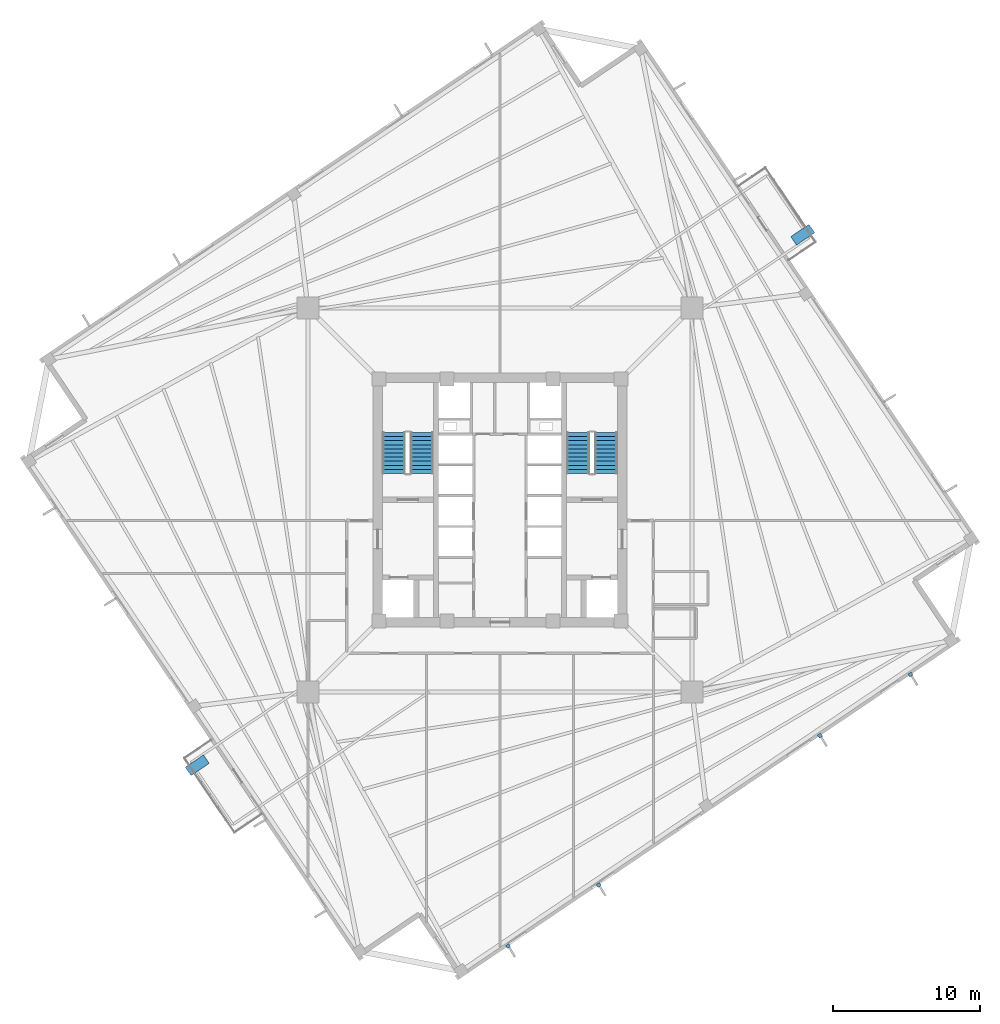
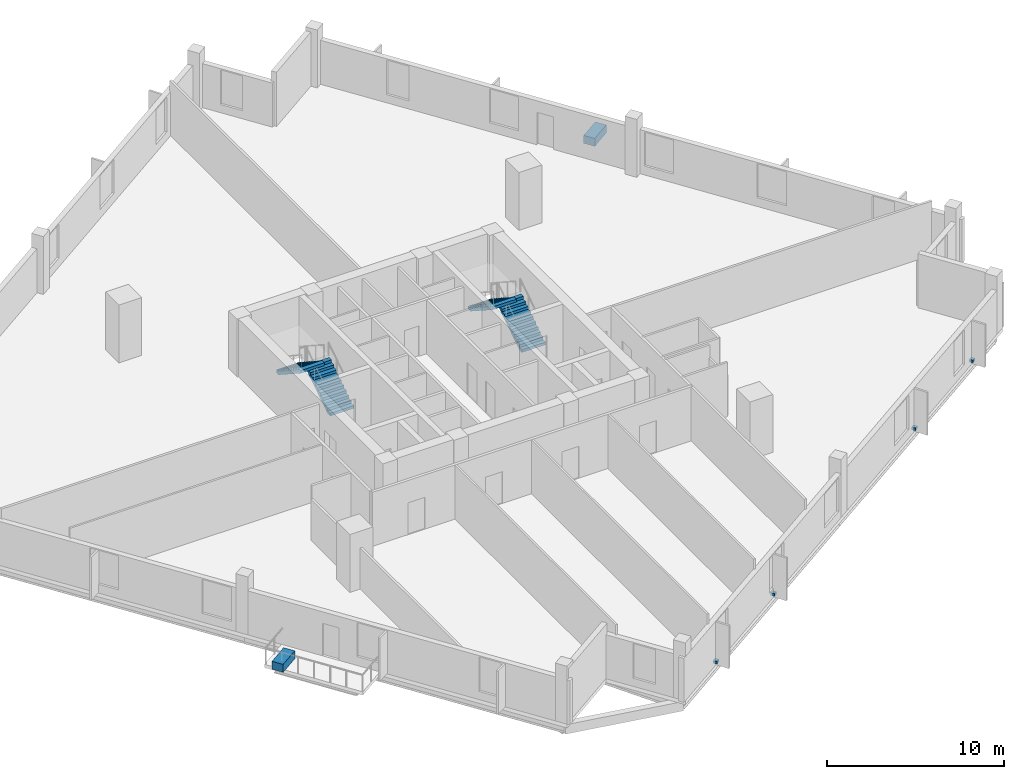
# One storey, part 6 of 9: 6 discrete accessories, 4 stair flights, 2 elements without a shape of their own.
"""IFC4 building model written with IfcOpenShell, lengths in metres."""

from ifc_helpers import new_model, si_unit, direction, frame, origin, origin_2d, place, context, subcontext, project, spatial, polyline, rectangle, outline, extrude, source, transform, mapped, material, type_object, element, aggregate, save


model = new_model("IFC4")

# Units and contexts
model_context = context("Model", 3, precision=1e-05, world=origin(), true_north=direction((0.0, 1.0)))
body_context = subcontext(model_context, "Body", "Model", "MODEL_VIEW")
ifc_project = project(units=[si_unit("LENGTHUNIT", "METRE"), si_unit("AREAUNIT", "SQUARE_METRE"), si_unit("VOLUMEUNIT", "CUBIC_METRE"), si_unit("PLANEANGLEUNIT", "RADIAN"), si_unit("MASSUNIT", "GRAM", prefix="KILO"), si_unit("THERMODYNAMICTEMPERATUREUNIT", "KELVIN")], contexts=[model_context])

# Site, building, storey
site_placement = place(None, origin())
site = spatial("IfcSite", under=ifc_project, at=site_placement, CompositionType="ELEMENT")
building_placement = place(site_placement, origin())
building = spatial("IfcBuilding", under=site, at=building_placement, Name="Kosmvard Interchange Tower", CompositionType="ELEMENT")
storey_placement = place(building_placement, frame((0.0, 0.0, 144.39990234375)))
storey = spatial("IfcBuildingStorey", under=building, at=storey_placement, Name="L34", CompositionType="ELEMENT", Elevation=144.39990234375)

# Stair, stair flights
ifc_material_1 = material(Name="Concrete C50/60", Category="concrete")
stair_type = type_object("IfcStairType", Name="Dog-Leg Core Exit Stair H4000 C50/60", PredefinedType="HALF_TURN_STAIR", material=ifc_material_1)
stair_1_placement = place(storey_placement, origin())
stair_1 = element("IfcStair", 1, at=stair_1_placement, inside=storey, type_object=stair_type, Name="L34 Protected Exit Stair ST-1", PredefinedType="HALF_TURN_STAIR")
stair_flight_type = type_object("IfcStairFlightType", Name="Core Stair Flight W1550 H4000 C50/60", PredefinedType="STRAIGHT", material=ifc_material_1)
shared_shape_1 = source(origin(), body_context, "Body", "SweptSolid", [
    extrude(outline(polyline([(0.0, 0.0), (0.0, 0.181884765625), (0.280029296875, 0.181884765625), (0.280029296875, 0.363525390625), (0.56005859375, 0.363525390625), (0.56005859375, 0.54541015625), (0.840087890625, 0.54541015625), (0.840087890625, 0.727294921875), (1.1201171875, 0.727294921875), (1.1201171875, 0.9091796875), (1.39990234375, 0.9091796875), (1.39990234375, 1.0908203125), (1.679931640625, 1.0908203125), (1.679931640625, 1.272705078125), (1.9599609375, 1.272705078125), (1.9599609375, 1.45458984375), (2.239990234375, 1.45458984375), (2.239990234375, 1.636474609375), (2.52001953125, 1.636474609375), (2.52001953125, 1.818115234375), (2.800048828125, 1.818115234375), (2.800048828125, 2.0), (2.800048828125, 1.62744140625), (0.293701171875, 0.0), (0.0, 0.0)])), frame((0.0, 0.77490234375, 0.0), z_axis=(0.0, -1.0, 0.0), x_axis=(1.0, 0.0, 0.0)), (0.0, 0.0, 1.0), 1.550048828125),
])
stair_flight_1_placement = place(storey_placement, frame((-5.31494140625, 1.800048828125, 0.0), z_axis=(0.0, 0.0, 1.0), x_axis=(0.0, 1.0, 0.0)))
stair_flight_1 = element("IfcStairFlight", 2, at=stair_flight_1_placement, type_object=stair_flight_type, Name="ST-1 flight 1", NumberOfRisers=11, NumberOfTreads=10, PredefinedType="STRAIGHT", RiserHeight=0.181818182, TreadLength=0.28, context=body_context, shape_type="MappedRepresentation", body=[
    mapped(shared_shape_1, transform((0.0, 0.0, 0.0), scale=1.0)),
])
stair_flight_2_placement = place(storey_placement, frame((-7.22509765625, 4.60009765625, 2.0), z_axis=(0.0, 0.0, 1.0), x_axis=(0.0, -1.0, 0.0)))
stair_flight_2 = element("IfcStairFlight", 3, at=stair_flight_2_placement, type_object=stair_flight_type, Name="ST-1 flight 2", NumberOfRisers=11, NumberOfTreads=10, PredefinedType="STRAIGHT", RiserHeight=0.181818182, TreadLength=0.28, context=body_context, shape_type="MappedRepresentation", body=[
    mapped(shared_shape_1, transform((0.0, 0.0, 0.0), scale=1.0)),
])
aggregate(stair_1, [stair_flight_1, stair_flight_2])

stair_2_placement = place(storey_placement, origin())
stair_2 = element("IfcStair", 4, at=stair_2_placement, inside=storey, type_object=stair_type, Name="L34 Protected Exit Stair ST-2", PredefinedType="HALF_TURN_STAIR")
stair_flight_3_placement = place(storey_placement, frame((7.22509765625, 1.800048828125, 0.0), z_axis=(0.0, 0.0, 1.0), x_axis=(0.0, 1.0, 0.0)))
stair_flight_3 = element("IfcStairFlight", 5, at=stair_flight_3_placement, type_object=stair_flight_type, Name="ST-2 flight 1", NumberOfRisers=11, NumberOfTreads=10, PredefinedType="STRAIGHT", RiserHeight=0.181818182, TreadLength=0.28, context=body_context, shape_type="MappedRepresentation", body=[
    mapped(shared_shape_1, transform((0.0, 0.0, 0.0), scale=1.0)),
])
stair_flight_4_placement = place(storey_placement, frame((5.31494140625, 4.60009765625, 2.0), z_axis=(0.0, 0.0, 1.0), x_axis=(0.0, -1.0, 0.0)))
stair_flight_4 = element("IfcStairFlight", 6, at=stair_flight_4_placement, type_object=stair_flight_type, Name="ST-2 flight 2", NumberOfRisers=11, NumberOfTreads=10, PredefinedType="STRAIGHT", RiserHeight=0.181818182, TreadLength=0.28, context=body_context, shape_type="MappedRepresentation", body=[
    mapped(shared_shape_1, transform((0.0, 0.0, 0.0), scale=1.0)),
])
aggregate(stair_2, [stair_flight_3, stair_flight_4])

# Discrete accessories
ifc_material_2 = material(Name="Terracotta precast planter concrete C45/55", Category="masonry")
discrete_accessory_type_1 = type_object("IfcDiscreteAccessoryType", Name="Precast Tree-Balcony & Terrace Planter Box", PredefinedType="USERDEFINED", material=ifc_material_2)
shared_shape_2 = source(origin(), body_context, "Body", "SweptSolid", [
    extrude(rectangle(XDim=1.5, YDim=0.699951171875, at=origin_2d()), origin(), (0.0, 0.0, 1.0), 0.550048828125),
])
for number, where, z_axis, x_axis, name in (
    (7, (20.62060546875, 18.0703125, 0.0), (0.0, 0.0, 1.0), (0.829037572555, 0.559192903471, 0.0), "L34 Balcony Tree Planter BAL-L34-E"),
    (8, (-20.62060546875, -18.0703125, 0.0), (0.0, 0.0, 1.0), (0.829037572555, 0.559192903471, 0.0), "L34 Balcony Tree Planter BAL-L34-W"),
):
    element("IfcDiscreteAccessory", number, at=place(storey_placement, frame(where, z_axis=z_axis, x_axis=x_axis)), inside=storey, type_object=discrete_accessory_type_1, Name=name, ObjectType="PLANTER", PredefinedType="USERDEFINED", context=body_context, shape_type="MappedRepresentation", body=[
        mapped(shared_shape_2, transform((0.0, 0.0, 0.0), scale=1.0)),
    ])
ifc_material_3 = material(Name="Steel S355", Category="steel")
discrete_accessory_type_2 = type_object("IfcDiscreteAccessoryType", Name="Facade Fin Structural Cleat Bracket", PredefinedType="BRACKET", material=ifc_material_3)
shared_shape_3 = source(origin(), body_context, "Body", "SweptSolid", [
    extrude(rectangle(XDim=0.239990234375, YDim=0.260009765625, at=origin_2d()), origin(), (0.0, 0.0, 1.0), 0.179931640625),
])
for number, where, z_axis, x_axis, name in (
    (9, (0.550537109375, -30.38720703125, 0.16015625), (0.0, 0.0, 1.0), (0.559192771654, -0.829037661466, 0.0), "L34 Sun-Breaker Anchor Bracket 01"),
    (10, (6.719482421875, -26.226318359375, 0.16015625), (0.0, 0.0, 1.0), (0.559192771654, -0.829037661466, 0.0), "L34 Sun-Breaker Anchor Bracket 02"),
    (11, (21.79931640625, -16.0546875, 0.16015625), (0.0, 0.0, 1.0), (0.559192771654, -0.829037661466, 0.0), "L34 Sun-Breaker Anchor Bracket 03"),
    (12, (27.968505859375, -11.8935546875, 0.16015625), (0.0, 0.0, 1.0), (0.559192771654, -0.829037661466, 0.0), "L34 Sun-Breaker Anchor Bracket 04"),
):
    element("IfcDiscreteAccessory", number, at=place(storey_placement, frame(where, z_axis=z_axis, x_axis=x_axis)), inside=storey, type_object=discrete_accessory_type_2, Name=name, PredefinedType="BRACKET", context=body_context, shape_type="MappedRepresentation", body=[
        mapped(shared_shape_3, transform((0.0, 0.0, 0.0), scale=1.0)),
    ])

save(model, "model.ifc")
